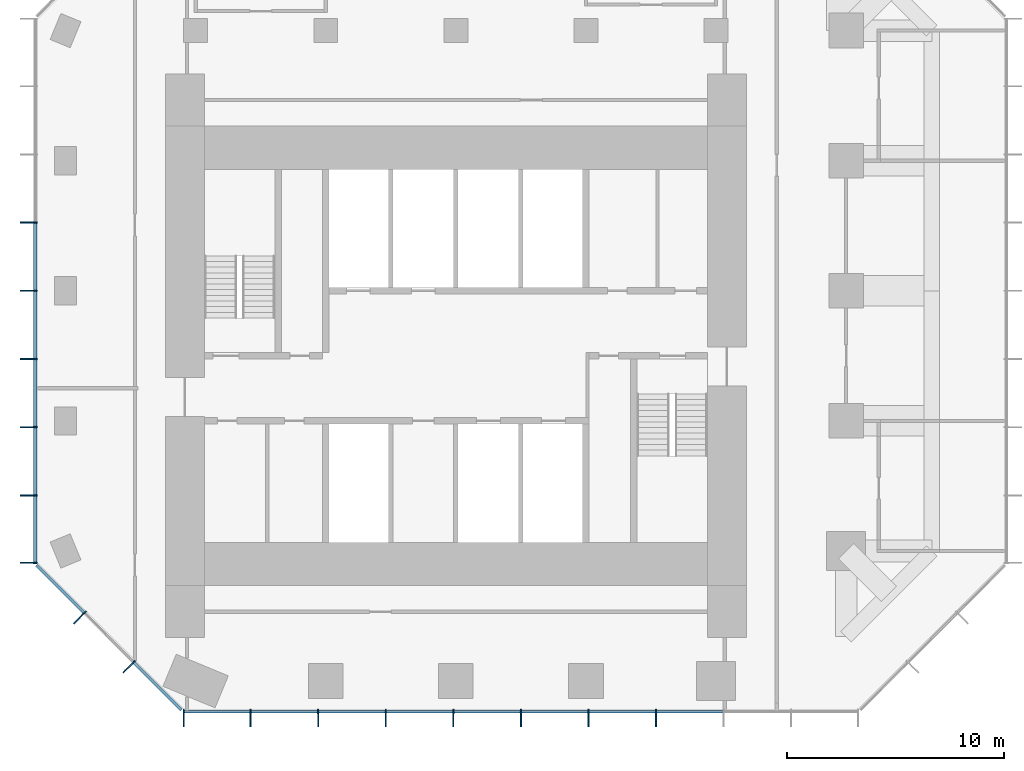
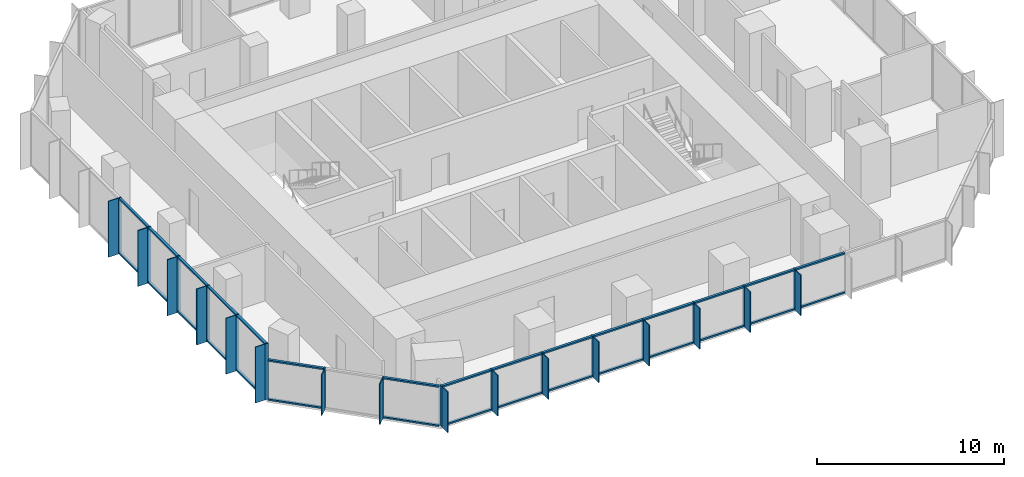
# One storey, part 2 of 10: 62 members, 3 elements without a shape of their own.
"""IFC4 building model written with IfcOpenShell, lengths in metres."""

from ifc_helpers import new_model, si_unit, direction, frame, origin, origin_2d, place, context, subcontext, project, spatial, rectangle, extrude, material, layer, layer_set, material_profile, profile_set, type_object, element, aggregate, save


model = new_model("IFC4")

# Units and contexts
model_context = context("Model", 3, precision=1e-05, world=origin(), true_north=direction((0.0, 1.0)))
body_context = subcontext(model_context, "Body", "Model", "MODEL_VIEW")
ifc_project = project(units=[si_unit("LENGTHUNIT", "METRE"), si_unit("AREAUNIT", "SQUARE_METRE"), si_unit("VOLUMEUNIT", "CUBIC_METRE"), si_unit("PLANEANGLEUNIT", "RADIAN"), si_unit("MASSUNIT", "GRAM", prefix="KILO")], contexts=[model_context])

# Site, building, storey
site_placement = place(None, origin())
site = spatial("IfcSite", under=ifc_project, at=site_placement, CompositionType="ELEMENT")
building_placement = place(site_placement, origin())
building = spatial("IfcBuilding", under=site, at=building_placement, Name="Highveld Stack Headquarters", CompositionType="ELEMENT")
storey_placement = place(building_placement, frame((0.0, 0.0, 264.5)))
storey = spatial("IfcBuildingStorey", under=building, at=storey_placement, Name="L65", CompositionType="ELEMENT", Elevation=264.5)

# Curtain wall, members
ifc_material_1 = material(Name="Aluminium bronze anodised", Category="aluminium")
ifc_layer = layer(ifc_material_1, 0.199951171875)
ifc_layer_set = layer_set([ifc_layer], Name="Aluminium bronze anodised")
curtain_wall_type = type_object("IfcCurtainWallType", Name="CW5 EXECUTIVE UNITISED CURTAIN WALL", PredefinedType="NOTDEFINED", material=ifc_layer_set)
curtain_wall_1_placement = place(storey_placement, origin())
curtain_wall_1 = element("IfcCurtainWall", 1, at=curtain_wall_1_placement, inside=storey, type_object=curtain_wall_type, Name="Curtain wall CW5 L65 S", PredefinedType="NOTDEFINED")
ifc_material_2 = material(Name="Aluminium bronze anodised", Category="aluminium")
ifc_material_profile_1 = material_profile(ifc_material_2, rectangle(XDim=0.60009765625, YDim=0.06005859375, at=origin_2d()), Name="FIN 600x60")
ifc_profile_set_1 = profile_set([ifc_material_profile_1], Name="Aluminium bronze anodised")
member_type_1 = type_object("IfcMemberType", Name="CW5 BRONZE FIN 600x60", PredefinedType="USERDEFINED", material=ifc_profile_set_1)
member_1_placement = place(storey_placement, frame((-6.54736328125, -13.800048828125, 0.0), z_axis=(0.0, 0.0, 1.0), x_axis=(0.0, 1.0, 0.0)))
member_1 = element("IfcMember", 2, at=member_1_placement, type_object=member_type_1, Name="CW5 fin L65 1", ObjectType="FIN", PredefinedType="USERDEFINED", context=body_context, shape_type="SweptSolid", body=[
    extrude(rectangle(XDim=0.60009765625, YDim=0.06005859375, at=origin_2d()), origin(), (0.0, 0.0, 1.0), 2.64990234375),
])
member_2_placement = place(storey_placement, frame((-3.4638671875, -13.800048828125, 0.0), z_axis=(0.0, 0.0, 1.0), x_axis=(0.0, 1.0, 0.0)))
member_2 = element("IfcMember", 3, at=member_2_placement, type_object=member_type_1, Name="CW5 fin L65 2", ObjectType="FIN", PredefinedType="USERDEFINED", context=body_context, shape_type="SweptSolid", body=[
    extrude(rectangle(XDim=0.60009765625, YDim=0.06005859375, at=origin_2d()), origin(), (0.0, 0.0, 1.0), 2.64990234375),
])
member_3_placement = place(storey_placement, frame((-0.347900390625, -13.800048828125, 0.0), z_axis=(0.0, 0.0, 1.0), x_axis=(0.0, 1.0, 0.0)))
member_3 = element("IfcMember", 4, at=member_3_placement, type_object=member_type_1, Name="CW5 fin L65 3", ObjectType="FIN", PredefinedType="USERDEFINED", context=body_context, shape_type="SweptSolid", body=[
    extrude(rectangle(XDim=0.60009765625, YDim=0.06005859375, at=origin_2d()), origin(), (0.0, 0.0, 1.0), 2.64990234375),
])
member_4_placement = place(storey_placement, frame((2.76806640625, -13.800048828125, 0.0), z_axis=(0.0, 0.0, 1.0), x_axis=(0.0, 1.0, 0.0)))
member_4 = element("IfcMember", 5, at=member_4_placement, type_object=member_type_1, Name="CW5 fin L65 4", ObjectType="FIN", PredefinedType="USERDEFINED", context=body_context, shape_type="SweptSolid", body=[
    extrude(rectangle(XDim=0.60009765625, YDim=0.06005859375, at=origin_2d()), origin(), (0.0, 0.0, 1.0), 2.64990234375),
])
member_5_placement = place(storey_placement, frame((5.884033203125, -13.800048828125, 0.0), z_axis=(0.0, 0.0, 1.0), x_axis=(0.0, 1.0, 0.0)))
member_5 = element("IfcMember", 6, at=member_5_placement, type_object=member_type_1, Name="CW5 fin L65 5", ObjectType="FIN", PredefinedType="USERDEFINED", context=body_context, shape_type="SweptSolid", body=[
    extrude(rectangle(XDim=0.60009765625, YDim=0.06005859375, at=origin_2d()), origin(), (0.0, 0.0, 1.0), 2.64990234375),
])
member_6_placement = place(storey_placement, frame((9.0, -13.800048828125, 0.0), z_axis=(0.0, 0.0, 1.0), x_axis=(0.0, 1.0, 0.0)))
member_6 = element("IfcMember", 7, at=member_6_placement, type_object=member_type_1, Name="CW5 fin L65 6", ObjectType="FIN", PredefinedType="USERDEFINED", context=body_context, shape_type="SweptSolid", body=[
    extrude(rectangle(XDim=0.60009765625, YDim=0.06005859375, at=origin_2d()), origin(), (0.0, 0.0, 1.0), 2.64990234375),
])
member_7_placement = place(storey_placement, frame((12.115966796875, -13.800048828125, 0.0), z_axis=(0.0, 0.0, 1.0), x_axis=(0.0, 1.0, 0.0)))
member_7 = element("IfcMember", 8, at=member_7_placement, type_object=member_type_1, Name="CW5 fin L65 7", ObjectType="FIN", PredefinedType="USERDEFINED", context=body_context, shape_type="SweptSolid", body=[
    extrude(rectangle(XDim=0.60009765625, YDim=0.06005859375, at=origin_2d()), origin(), (0.0, 0.0, 1.0), 2.64990234375),
])
member_8_placement = place(storey_placement, frame((15.23193359375, -13.800048828125, 0.0), z_axis=(0.0, 0.0, 1.0), x_axis=(0.0, 1.0, 0.0)))
member_8 = element("IfcMember", 9, at=member_8_placement, type_object=member_type_1, Name="CW5 fin L65 8", ObjectType="FIN", PredefinedType="USERDEFINED", context=body_context, shape_type="SweptSolid", body=[
    extrude(rectangle(XDim=0.60009765625, YDim=0.06005859375, at=origin_2d()), origin(), (0.0, 0.0, 1.0), 2.64990234375),
])

curtain_wall_2_placement = place(storey_placement, origin())
curtain_wall_2 = element("IfcCurtainWall", 10, at=curtain_wall_2_placement, inside=storey, type_object=curtain_wall_type, Name="Curtain wall CW5 L65 W", PredefinedType="NOTDEFINED")
member_9_placement = place(storey_placement, frame((-13.800048828125, 9.14501953125, 0.0), z_axis=(0.0, 0.0, 1.0), x_axis=(1.0, 0.0, 0.0)))
member_9 = element("IfcMember", 11, at=member_9_placement, type_object=member_type_1, Name="CW5 fin L65 4", ObjectType="FIN", PredefinedType="USERDEFINED", context=body_context, shape_type="SweptSolid", body=[
    extrude(rectangle(XDim=0.60009765625, YDim=0.06005859375, at=origin_2d()), origin(), (0.0, 0.0, 1.0), 3.64990234375),
])
member_10_placement = place(storey_placement, frame((-13.800048828125, 6.0, 0.0), z_axis=(0.0, 0.0, 1.0), x_axis=(1.0, 0.0, 0.0)))
member_10 = element("IfcMember", 12, at=member_10_placement, type_object=member_type_1, Name="CW5 fin L65 5", ObjectType="FIN", PredefinedType="USERDEFINED", context=body_context, shape_type="SweptSolid", body=[
    extrude(rectangle(XDim=0.60009765625, YDim=0.06005859375, at=origin_2d()), origin(), (0.0, 0.0, 1.0), 3.64990234375),
])
member_11_placement = place(storey_placement, frame((-13.800048828125, 2.85498046875, 0.0), z_axis=(0.0, 0.0, 1.0), x_axis=(1.0, 0.0, 0.0)))
member_11 = element("IfcMember", 13, at=member_11_placement, type_object=member_type_1, Name="CW5 fin L65 6", ObjectType="FIN", PredefinedType="USERDEFINED", context=body_context, shape_type="SweptSolid", body=[
    extrude(rectangle(XDim=0.60009765625, YDim=0.06005859375, at=origin_2d()), origin(), (0.0, 0.0, 1.0), 3.64990234375),
])
member_12_placement = place(storey_placement, frame((-13.800048828125, -0.2900390625, 0.0), z_axis=(0.0, 0.0, 1.0), x_axis=(1.0, 0.0, 0.0)))
member_12 = element("IfcMember", 14, at=member_12_placement, type_object=member_type_1, Name="CW5 fin L65 7", ObjectType="FIN", PredefinedType="USERDEFINED", context=body_context, shape_type="SweptSolid", body=[
    extrude(rectangle(XDim=0.60009765625, YDim=0.06005859375, at=origin_2d()), origin(), (0.0, 0.0, 1.0), 3.64990234375),
])
member_13_placement = place(storey_placement, frame((-13.800048828125, -3.434814453125, 0.0), z_axis=(0.0, 0.0, 1.0), x_axis=(1.0, 0.0, 0.0)))
member_13 = element("IfcMember", 15, at=member_13_placement, type_object=member_type_1, Name="CW5 fin L65 8", ObjectType="FIN", PredefinedType="USERDEFINED", context=body_context, shape_type="SweptSolid", body=[
    extrude(rectangle(XDim=0.60009765625, YDim=0.06005859375, at=origin_2d()), origin(), (0.0, 0.0, 1.0), 3.64990234375),
])
member_14_placement = place(storey_placement, frame((-13.800048828125, -6.54736328125, 0.0), z_axis=(0.0, 0.0, 1.0), x_axis=(1.0, 0.0, 0.0)))
member_14 = element("IfcMember", 16, at=member_14_placement, type_object=member_type_1, Name="CW5 fin L65 9", ObjectType="FIN", PredefinedType="USERDEFINED", context=body_context, shape_type="SweptSolid", body=[
    extrude(rectangle(XDim=0.60009765625, YDim=0.06005859375, at=origin_2d()), origin(), (0.0, 0.0, 1.0), 3.64990234375),
])

curtain_wall_3_placement = place(storey_placement, origin())
curtain_wall_3 = element("IfcCurtainWall", 17, at=curtain_wall_3_placement, inside=storey, type_object=curtain_wall_type, Name="Curtain wall CW5 L65 SW", PredefinedType="NOTDEFINED")
member_15_placement = place(storey_placement, frame((-11.409423828125, -9.135986328125, 0.0), z_axis=(0.0, 0.0, 1.0), x_axis=(0.707106781187, 0.707106781187, 0.0)))
member_15 = element("IfcMember", 18, at=member_15_placement, type_object=member_type_1, Name="CW5 fin L65 1", ObjectType="FIN", PredefinedType="USERDEFINED", context=body_context, shape_type="SweptSolid", body=[
    extrude(rectangle(XDim=0.60009765625, YDim=0.06005859375, at=origin_2d()), origin(), (0.0, 0.0, 1.0), 2.64990234375),
])
member_16_placement = place(storey_placement, frame((-9.135986328125, -11.409423828125, 0.0), z_axis=(0.0, 0.0, 1.0), x_axis=(0.707106781187, 0.707106781187, 0.0)))
member_16 = element("IfcMember", 19, at=member_16_placement, type_object=member_type_1, Name="CW5 fin L65 2", ObjectType="FIN", PredefinedType="USERDEFINED", context=body_context, shape_type="SweptSolid", body=[
    extrude(rectangle(XDim=0.60009765625, YDim=0.06005859375, at=origin_2d()), origin(), (0.0, 0.0, 1.0), 2.64990234375),
])

# Member
ifc_material_3 = material(Name="Aluminium bronze anodised", Category="aluminium")
ifc_material_profile_2 = material_profile(ifc_material_3, rectangle(XDim=0.199951171875, YDim=0.06494140625, at=origin_2d()), Name="CW5 MULLION 65x200")
ifc_profile_set_2 = profile_set([ifc_material_profile_2], Name="Aluminium bronze anodised")
member_type_2 = type_object("IfcMemberType", Name="CW5 MULLION 65x200", PredefinedType="MULLION", material=ifc_profile_set_2)
member_17_placement = place(storey_placement, frame((-6.54736328125, -13.39990234375, 0.0), z_axis=(0.0, 0.0, 1.0), x_axis=(0.0, 1.0, 0.0)))
member_17 = element("IfcMember", 20, at=member_17_placement, type_object=member_type_2, Name="CW5 mullion L65 1", PredefinedType="MULLION", context=body_context, shape_type="SweptSolid", body=[
    extrude(rectangle(XDim=0.199951171875, YDim=0.06494140625, at=origin_2d()), origin(), (0.0, 0.0, 1.0), 2.64990234375),
])

member_18_placement = place(storey_placement, frame((-3.4638671875, -13.39990234375, 0.0), z_axis=(0.0, 0.0, 1.0), x_axis=(0.0, 1.0, 0.0)))
member_18 = element("IfcMember", 21, at=member_18_placement, type_object=member_type_2, Name="CW5 mullion L65 2", PredefinedType="MULLION", context=body_context, shape_type="SweptSolid", body=[
    extrude(rectangle(XDim=0.199951171875, YDim=0.06494140625, at=origin_2d()), origin(), (0.0, 0.0, 1.0), 2.64990234375),
])

member_19_placement = place(storey_placement, frame((-0.347900390625, -13.39990234375, 0.0), z_axis=(0.0, 0.0, 1.0), x_axis=(0.0, 1.0, 0.0)))
member_19 = element("IfcMember", 22, at=member_19_placement, type_object=member_type_2, Name="CW5 mullion L65 3", PredefinedType="MULLION", context=body_context, shape_type="SweptSolid", body=[
    extrude(rectangle(XDim=0.199951171875, YDim=0.06494140625, at=origin_2d()), origin(), (0.0, 0.0, 1.0), 2.64990234375),
])

member_20_placement = place(storey_placement, frame((2.76806640625, -13.39990234375, 0.0), z_axis=(0.0, 0.0, 1.0), x_axis=(0.0, 1.0, 0.0)))
member_20 = element("IfcMember", 23, at=member_20_placement, type_object=member_type_2, Name="CW5 mullion L65 4", PredefinedType="MULLION", context=body_context, shape_type="SweptSolid", body=[
    extrude(rectangle(XDim=0.199951171875, YDim=0.06494140625, at=origin_2d()), origin(), (0.0, 0.0, 1.0), 2.64990234375),
])

member_21_placement = place(storey_placement, frame((5.884033203125, -13.39990234375, 0.0), z_axis=(0.0, 0.0, 1.0), x_axis=(0.0, 1.0, 0.0)))
member_21 = element("IfcMember", 24, at=member_21_placement, type_object=member_type_2, Name="CW5 mullion L65 5", PredefinedType="MULLION", context=body_context, shape_type="SweptSolid", body=[
    extrude(rectangle(XDim=0.199951171875, YDim=0.06494140625, at=origin_2d()), origin(), (0.0, 0.0, 1.0), 2.64990234375),
])

member_22_placement = place(storey_placement, frame((9.0, -13.39990234375, 0.0), z_axis=(0.0, 0.0, 1.0), x_axis=(0.0, 1.0, 0.0)))
member_22 = element("IfcMember", 25, at=member_22_placement, type_object=member_type_2, Name="CW5 mullion L65 6", PredefinedType="MULLION", context=body_context, shape_type="SweptSolid", body=[
    extrude(rectangle(XDim=0.199951171875, YDim=0.06494140625, at=origin_2d()), origin(), (0.0, 0.0, 1.0), 2.64990234375),
])

member_23_placement = place(storey_placement, frame((12.115966796875, -13.39990234375, 0.0), z_axis=(0.0, 0.0, 1.0), x_axis=(0.0, 1.0, 0.0)))
member_23 = element("IfcMember", 26, at=member_23_placement, type_object=member_type_2, Name="CW5 mullion L65 7", PredefinedType="MULLION", context=body_context, shape_type="SweptSolid", body=[
    extrude(rectangle(XDim=0.199951171875, YDim=0.06494140625, at=origin_2d()), origin(), (0.0, 0.0, 1.0), 2.64990234375),
])

member_24_placement = place(storey_placement, frame((15.23193359375, -13.39990234375, 0.0), z_axis=(0.0, 0.0, 1.0), x_axis=(0.0, 1.0, 0.0)))
member_24 = element("IfcMember", 27, at=member_24_placement, type_object=member_type_2, Name="CW5 mullion L65 8", PredefinedType="MULLION", context=body_context, shape_type="SweptSolid", body=[
    extrude(rectangle(XDim=0.199951171875, YDim=0.06494140625, at=origin_2d()), origin(), (0.0, 0.0, 1.0), 2.64990234375),
])

member_25_placement = place(storey_placement, frame((-13.39990234375, 9.14501953125, 0.0), z_axis=(0.0, 0.0, 1.0), x_axis=(1.0, 0.0, 0.0)))
member_25 = element("IfcMember", 28, at=member_25_placement, type_object=member_type_2, Name="CW5 mullion L65 4", PredefinedType="MULLION", context=body_context, shape_type="SweptSolid", body=[
    extrude(rectangle(XDim=0.199951171875, YDim=0.06494140625, at=origin_2d()), origin(), (0.0, 0.0, 1.0), 3.64990234375),
])

member_26_placement = place(storey_placement, frame((-13.39990234375, 6.0, 0.0), z_axis=(0.0, 0.0, 1.0), x_axis=(1.0, 0.0, 0.0)))
member_26 = element("IfcMember", 29, at=member_26_placement, type_object=member_type_2, Name="CW5 mullion L65 5", PredefinedType="MULLION", context=body_context, shape_type="SweptSolid", body=[
    extrude(rectangle(XDim=0.199951171875, YDim=0.06494140625, at=origin_2d()), origin(), (0.0, 0.0, 1.0), 3.64990234375),
])

member_27_placement = place(storey_placement, frame((-13.39990234375, 2.85498046875, 0.0), z_axis=(0.0, 0.0, 1.0), x_axis=(1.0, 0.0, 0.0)))
member_27 = element("IfcMember", 30, at=member_27_placement, type_object=member_type_2, Name="CW5 mullion L65 6", PredefinedType="MULLION", context=body_context, shape_type="SweptSolid", body=[
    extrude(rectangle(XDim=0.199951171875, YDim=0.06494140625, at=origin_2d()), origin(), (0.0, 0.0, 1.0), 3.64990234375),
])

member_28_placement = place(storey_placement, frame((-13.39990234375, -0.2900390625, 0.0), z_axis=(0.0, 0.0, 1.0), x_axis=(1.0, 0.0, 0.0)))
member_28 = element("IfcMember", 31, at=member_28_placement, type_object=member_type_2, Name="CW5 mullion L65 7", PredefinedType="MULLION", context=body_context, shape_type="SweptSolid", body=[
    extrude(rectangle(XDim=0.199951171875, YDim=0.06494140625, at=origin_2d()), origin(), (0.0, 0.0, 1.0), 3.64990234375),
])

member_29_placement = place(storey_placement, frame((-13.39990234375, -3.434814453125, 0.0), z_axis=(0.0, 0.0, 1.0), x_axis=(1.0, 0.0, 0.0)))
member_29 = element("IfcMember", 32, at=member_29_placement, type_object=member_type_2, Name="CW5 mullion L65 8", PredefinedType="MULLION", context=body_context, shape_type="SweptSolid", body=[
    extrude(rectangle(XDim=0.199951171875, YDim=0.06494140625, at=origin_2d()), origin(), (0.0, 0.0, 1.0), 3.64990234375),
])

member_30_placement = place(storey_placement, frame((-13.39990234375, -6.54736328125, 0.0), z_axis=(0.0, 0.0, 1.0), x_axis=(1.0, 0.0, 0.0)))
member_30 = element("IfcMember", 33, at=member_30_placement, type_object=member_type_2, Name="CW5 mullion L65 9", PredefinedType="MULLION", context=body_context, shape_type="SweptSolid", body=[
    extrude(rectangle(XDim=0.199951171875, YDim=0.06494140625, at=origin_2d()), origin(), (0.0, 0.0, 1.0), 3.64990234375),
])

member_31_placement = place(storey_placement, frame((-11.126708984375, -8.853271484375, 0.0), z_axis=(0.0, 0.0, 1.0), x_axis=(0.707106781187, 0.707106781187, 0.0)))
member_31 = element("IfcMember", 34, at=member_31_placement, type_object=member_type_2, Name="CW5 mullion L65 1", PredefinedType="MULLION", context=body_context, shape_type="SweptSolid", body=[
    extrude(rectangle(XDim=0.199951171875, YDim=0.06494140625, at=origin_2d()), origin(), (0.0, 0.0, 1.0), 2.64990234375),
])

member_32_placement = place(storey_placement, frame((-8.853271484375, -11.126708984375, 0.0), z_axis=(0.0, 0.0, 1.0), x_axis=(0.707106781187, 0.707106781187, 0.0)))
member_32 = element("IfcMember", 35, at=member_32_placement, type_object=member_type_2, Name="CW5 mullion L65 2", PredefinedType="MULLION", context=body_context, shape_type="SweptSolid", body=[
    extrude(rectangle(XDim=0.199951171875, YDim=0.06494140625, at=origin_2d()), origin(), (0.0, 0.0, 1.0), 2.64990234375),
])

ifc_material_4 = material(Name="Aluminium bronze anodised", Category="aluminium")
ifc_material_profile_3 = material_profile(ifc_material_4, rectangle(XDim=0.14990234375, YDim=0.10009765625, at=origin_2d()), Name="CW5 TRANSOM 150x100")
ifc_profile_set_3 = profile_set([ifc_material_profile_3], Name="Aluminium bronze anodised")
member_type_3 = type_object("IfcMemberType", Name="CW5 STACK TRANSOM 150x100", PredefinedType="USERDEFINED", material=ifc_profile_set_3)
member_33_placement = place(storey_placement, frame((-6.514892578125, -13.39990234375, 0.050048828125), z_axis=(1.0, 0.0, 0.0), x_axis=(0.0, 1.0, 0.0)))
member_33 = element("IfcMember", 36, at=member_33_placement, type_object=member_type_3, Name="CW5 transom L65 1.1", ObjectType="TRANSOM", PredefinedType="USERDEFINED", context=body_context, shape_type="SweptSolid", body=[
    extrude(rectangle(XDim=0.14990234375, YDim=0.10009765625, at=origin_2d()), origin(), (0.0, 0.0, 1.0), 3.0185546875),
])

member_34_placement = place(storey_placement, frame((-6.514892578125, -13.39990234375, 2.60009765625), z_axis=(1.0, 0.0, 0.0), x_axis=(0.0, 1.0, 0.0)))
member_34 = element("IfcMember", 37, at=member_34_placement, type_object=member_type_3, Name="CW5 transom L65 1.2", ObjectType="TRANSOM", PredefinedType="USERDEFINED", context=body_context, shape_type="SweptSolid", body=[
    extrude(rectangle(XDim=0.14990234375, YDim=0.10009765625, at=origin_2d()), origin(), (0.0, 0.0, 1.0), 3.0185546875),
])

member_35_placement = place(storey_placement, frame((-3.431396484375, -13.39990234375, 0.050048828125), z_axis=(1.0, 0.0, 0.0), x_axis=(0.0, 1.0, 0.0)))
member_35 = element("IfcMember", 38, at=member_35_placement, type_object=member_type_3, Name="CW5 transom L65 2.1", ObjectType="TRANSOM", PredefinedType="USERDEFINED", context=body_context, shape_type="SweptSolid", body=[
    extrude(rectangle(XDim=0.14990234375, YDim=0.10009765625, at=origin_2d()), origin(), (0.0, 0.0, 1.0), 3.051025390625),
])

member_36_placement = place(storey_placement, frame((-3.431396484375, -13.39990234375, 2.60009765625), z_axis=(1.0, 0.0, 0.0), x_axis=(0.0, 1.0, 0.0)))
member_36 = element("IfcMember", 39, at=member_36_placement, type_object=member_type_3, Name="CW5 transom L65 2.2", ObjectType="TRANSOM", PredefinedType="USERDEFINED", context=body_context, shape_type="SweptSolid", body=[
    extrude(rectangle(XDim=0.14990234375, YDim=0.10009765625, at=origin_2d()), origin(), (0.0, 0.0, 1.0), 3.051025390625),
])

member_37_placement = place(storey_placement, frame((-0.3154296875, -13.39990234375, 0.050048828125), z_axis=(1.0, 0.0, 0.0), x_axis=(0.0, 1.0, 0.0)))
member_37 = element("IfcMember", 40, at=member_37_placement, type_object=member_type_3, Name="CW5 transom L65 3.1", ObjectType="TRANSOM", PredefinedType="USERDEFINED", context=body_context, shape_type="SweptSolid", body=[
    extrude(rectangle(XDim=0.14990234375, YDim=0.10009765625, at=origin_2d()), origin(), (0.0, 0.0, 1.0), 3.051025390625),
])

member_38_placement = place(storey_placement, frame((-0.3154296875, -13.39990234375, 2.60009765625), z_axis=(1.0, 0.0, 0.0), x_axis=(0.0, 1.0, 0.0)))
member_38 = element("IfcMember", 41, at=member_38_placement, type_object=member_type_3, Name="CW5 transom L65 3.2", ObjectType="TRANSOM", PredefinedType="USERDEFINED", context=body_context, shape_type="SweptSolid", body=[
    extrude(rectangle(XDim=0.14990234375, YDim=0.10009765625, at=origin_2d()), origin(), (0.0, 0.0, 1.0), 3.051025390625),
])

member_39_placement = place(storey_placement, frame((2.800537109375, -13.39990234375, 0.050048828125), z_axis=(1.0, 0.0, 0.0), x_axis=(0.0, 1.0, 0.0)))
member_39 = element("IfcMember", 42, at=member_39_placement, type_object=member_type_3, Name="CW5 transom L65 4.1", ObjectType="TRANSOM", PredefinedType="USERDEFINED", context=body_context, shape_type="SweptSolid", body=[
    extrude(rectangle(XDim=0.14990234375, YDim=0.10009765625, at=origin_2d()), origin(), (0.0, 0.0, 1.0), 3.051025390625),
])

member_40_placement = place(storey_placement, frame((2.800537109375, -13.39990234375, 2.60009765625), z_axis=(1.0, 0.0, 0.0), x_axis=(0.0, 1.0, 0.0)))
member_40 = element("IfcMember", 43, at=member_40_placement, type_object=member_type_3, Name="CW5 transom L65 4.2", ObjectType="TRANSOM", PredefinedType="USERDEFINED", context=body_context, shape_type="SweptSolid", body=[
    extrude(rectangle(XDim=0.14990234375, YDim=0.10009765625, at=origin_2d()), origin(), (0.0, 0.0, 1.0), 3.051025390625),
])

member_41_placement = place(storey_placement, frame((5.91650390625, -13.39990234375, 0.050048828125), z_axis=(1.0, 0.0, 0.0), x_axis=(0.0, 1.0, 0.0)))
member_41 = element("IfcMember", 44, at=member_41_placement, type_object=member_type_3, Name="CW5 transom L65 5.1", ObjectType="TRANSOM", PredefinedType="USERDEFINED", context=body_context, shape_type="SweptSolid", body=[
    extrude(rectangle(XDim=0.14990234375, YDim=0.10009765625, at=origin_2d()), origin(), (0.0, 0.0, 1.0), 3.051025390625),
])

member_42_placement = place(storey_placement, frame((5.91650390625, -13.39990234375, 2.60009765625), z_axis=(1.0, 0.0, 0.0), x_axis=(0.0, 1.0, 0.0)))
member_42 = element("IfcMember", 45, at=member_42_placement, type_object=member_type_3, Name="CW5 transom L65 5.2", ObjectType="TRANSOM", PredefinedType="USERDEFINED", context=body_context, shape_type="SweptSolid", body=[
    extrude(rectangle(XDim=0.14990234375, YDim=0.10009765625, at=origin_2d()), origin(), (0.0, 0.0, 1.0), 3.051025390625),
])

member_43_placement = place(storey_placement, frame((9.032470703125, -13.39990234375, 0.050048828125), z_axis=(1.0, 0.0, 0.0), x_axis=(0.0, 1.0, 0.0)))
member_43 = element("IfcMember", 46, at=member_43_placement, type_object=member_type_3, Name="CW5 transom L65 6.1", ObjectType="TRANSOM", PredefinedType="USERDEFINED", context=body_context, shape_type="SweptSolid", body=[
    extrude(rectangle(XDim=0.14990234375, YDim=0.10009765625, at=origin_2d()), origin(), (0.0, 0.0, 1.0), 3.051025390625),
])

member_44_placement = place(storey_placement, frame((9.032470703125, -13.39990234375, 2.60009765625), z_axis=(1.0, 0.0, 0.0), x_axis=(0.0, 1.0, 0.0)))
member_44 = element("IfcMember", 47, at=member_44_placement, type_object=member_type_3, Name="CW5 transom L65 6.2", ObjectType="TRANSOM", PredefinedType="USERDEFINED", context=body_context, shape_type="SweptSolid", body=[
    extrude(rectangle(XDim=0.14990234375, YDim=0.10009765625, at=origin_2d()), origin(), (0.0, 0.0, 1.0), 3.051025390625),
])

member_45_placement = place(storey_placement, frame((12.1484375, -13.39990234375, 0.050048828125), z_axis=(1.0, 0.0, 0.0), x_axis=(0.0, 1.0, 0.0)))
member_45 = element("IfcMember", 48, at=member_45_placement, type_object=member_type_3, Name="CW5 transom L65 7.1", ObjectType="TRANSOM", PredefinedType="USERDEFINED", context=body_context, shape_type="SweptSolid", body=[
    extrude(rectangle(XDim=0.14990234375, YDim=0.10009765625, at=origin_2d()), origin(), (0.0, 0.0, 1.0), 3.051025390625),
])

member_46_placement = place(storey_placement, frame((12.1484375, -13.39990234375, 2.60009765625), z_axis=(1.0, 0.0, 0.0), x_axis=(0.0, 1.0, 0.0)))
member_46 = element("IfcMember", 49, at=member_46_placement, type_object=member_type_3, Name="CW5 transom L65 7.2", ObjectType="TRANSOM", PredefinedType="USERDEFINED", context=body_context, shape_type="SweptSolid", body=[
    extrude(rectangle(XDim=0.14990234375, YDim=0.10009765625, at=origin_2d()), origin(), (0.0, 0.0, 1.0), 3.051025390625),
])

member_47_placement = place(storey_placement, frame((15.264404296875, -13.39990234375, 0.050048828125), z_axis=(1.0, 0.0, 0.0), x_axis=(0.0, 1.0, 0.0)))
member_47 = element("IfcMember", 50, at=member_47_placement, type_object=member_type_3, Name="CW5 transom L65 8.1", ObjectType="TRANSOM", PredefinedType="USERDEFINED", context=body_context, shape_type="SweptSolid", body=[
    extrude(rectangle(XDim=0.14990234375, YDim=0.10009765625, at=origin_2d()), origin(), (0.0, 0.0, 1.0), 3.051025390625),
])

member_48_placement = place(storey_placement, frame((15.264404296875, -13.39990234375, 2.60009765625), z_axis=(1.0, 0.0, 0.0), x_axis=(0.0, 1.0, 0.0)))
member_48 = element("IfcMember", 51, at=member_48_placement, type_object=member_type_3, Name="CW5 transom L65 8.2", ObjectType="TRANSOM", PredefinedType="USERDEFINED", context=body_context, shape_type="SweptSolid", body=[
    extrude(rectangle(XDim=0.14990234375, YDim=0.10009765625, at=origin_2d()), origin(), (0.0, 0.0, 1.0), 3.051025390625),
])

aggregate(curtain_wall_1, [member_17, member_1, member_18, member_2, member_19, member_3, member_20, member_4, member_21, member_5, member_22, member_6, member_23, member_7, member_24, member_8, member_33, member_34, member_35, member_36, member_37, member_38, member_39, member_40, member_41, member_42, member_43, member_44, member_45, member_46, member_47, member_48])

member_49_placement = place(storey_placement, frame((-13.39990234375, 9.112548828125, 0.050048828125), z_axis=(0.0, -1.0, 0.0), x_axis=(1.0, 0.0, 0.0)))
member_49 = element("IfcMember", 52, at=member_49_placement, type_object=member_type_3, Name="CW5 transom L65 4.1", ObjectType="TRANSOM", PredefinedType="USERDEFINED", context=body_context, shape_type="SweptSolid", body=[
    extrude(rectangle(XDim=0.14990234375, YDim=0.10009765625, at=origin_2d()), origin(), (0.0, 0.0, 1.0), 3.080078125),
])

member_50_placement = place(storey_placement, frame((-13.39990234375, 9.112548828125, 3.60009765625), z_axis=(0.0, -1.0, 0.0), x_axis=(1.0, 0.0, 0.0)))
member_50 = element("IfcMember", 53, at=member_50_placement, type_object=member_type_3, Name="CW5 transom L65 4.2", ObjectType="TRANSOM", PredefinedType="USERDEFINED", context=body_context, shape_type="SweptSolid", body=[
    extrude(rectangle(XDim=0.14990234375, YDim=0.10009765625, at=origin_2d()), origin(), (0.0, 0.0, 1.0), 3.080078125),
])

member_51_placement = place(storey_placement, frame((-13.39990234375, 5.967529296875, 0.050048828125), z_axis=(0.0, -1.0, 0.0), x_axis=(1.0, 0.0, 0.0)))
member_51 = element("IfcMember", 54, at=member_51_placement, type_object=member_type_3, Name="CW5 transom L65 5.1", ObjectType="TRANSOM", PredefinedType="USERDEFINED", context=body_context, shape_type="SweptSolid", body=[
    extrude(rectangle(XDim=0.14990234375, YDim=0.10009765625, at=origin_2d()), origin(), (0.0, 0.0, 1.0), 3.080078125),
])

member_52_placement = place(storey_placement, frame((-13.39990234375, 5.967529296875, 3.60009765625), z_axis=(0.0, -1.0, 0.0), x_axis=(1.0, 0.0, 0.0)))
member_52 = element("IfcMember", 55, at=member_52_placement, type_object=member_type_3, Name="CW5 transom L65 5.2", ObjectType="TRANSOM", PredefinedType="USERDEFINED", context=body_context, shape_type="SweptSolid", body=[
    extrude(rectangle(XDim=0.14990234375, YDim=0.10009765625, at=origin_2d()), origin(), (0.0, 0.0, 1.0), 3.080078125),
])

member_53_placement = place(storey_placement, frame((-13.39990234375, 2.822509765625, 0.050048828125), z_axis=(0.0, -1.0, 0.0), x_axis=(1.0, 0.0, 0.0)))
member_53 = element("IfcMember", 56, at=member_53_placement, type_object=member_type_3, Name="CW5 transom L65 6.1", ObjectType="TRANSOM", PredefinedType="USERDEFINED", context=body_context, shape_type="SweptSolid", body=[
    extrude(rectangle(XDim=0.14990234375, YDim=0.10009765625, at=origin_2d()), origin(), (0.0, 0.0, 1.0), 3.080078125),
])

member_54_placement = place(storey_placement, frame((-13.39990234375, 2.822509765625, 3.60009765625), z_axis=(0.0, -1.0, 0.0), x_axis=(1.0, 0.0, 0.0)))
member_54 = element("IfcMember", 57, at=member_54_placement, type_object=member_type_3, Name="CW5 transom L65 6.2", ObjectType="TRANSOM", PredefinedType="USERDEFINED", context=body_context, shape_type="SweptSolid", body=[
    extrude(rectangle(XDim=0.14990234375, YDim=0.10009765625, at=origin_2d()), origin(), (0.0, 0.0, 1.0), 3.080078125),
])

member_55_placement = place(storey_placement, frame((-13.39990234375, -0.322509765625, 0.050048828125), z_axis=(0.0, -1.0, 0.0), x_axis=(1.0, 0.0, 0.0)))
member_55 = element("IfcMember", 58, at=member_55_placement, type_object=member_type_3, Name="CW5 transom L65 7.1", ObjectType="TRANSOM", PredefinedType="USERDEFINED", context=body_context, shape_type="SweptSolid", body=[
    extrude(rectangle(XDim=0.14990234375, YDim=0.10009765625, at=origin_2d()), origin(), (0.0, 0.0, 1.0), 3.079833984375),
])

member_56_placement = place(storey_placement, frame((-13.39990234375, -0.322509765625, 3.60009765625), z_axis=(0.0, -1.0, 0.0), x_axis=(1.0, 0.0, 0.0)))
member_56 = element("IfcMember", 59, at=member_56_placement, type_object=member_type_3, Name="CW5 transom L65 7.2", ObjectType="TRANSOM", PredefinedType="USERDEFINED", context=body_context, shape_type="SweptSolid", body=[
    extrude(rectangle(XDim=0.14990234375, YDim=0.10009765625, at=origin_2d()), origin(), (0.0, 0.0, 1.0), 3.079833984375),
])

member_57_placement = place(storey_placement, frame((-13.39990234375, -3.46728515625, 0.050048828125), z_axis=(0.0, -1.0, 0.0), x_axis=(1.0, 0.0, 0.0)))
member_57 = element("IfcMember", 60, at=member_57_placement, type_object=member_type_3, Name="CW5 transom L65 8.1", ObjectType="TRANSOM", PredefinedType="USERDEFINED", context=body_context, shape_type="SweptSolid", body=[
    extrude(rectangle(XDim=0.14990234375, YDim=0.10009765625, at=origin_2d()), origin(), (0.0, 0.0, 1.0), 3.047607421875),
])

member_58_placement = place(storey_placement, frame((-13.39990234375, -3.46728515625, 3.60009765625), z_axis=(0.0, -1.0, 0.0), x_axis=(1.0, 0.0, 0.0)))
member_58 = element("IfcMember", 61, at=member_58_placement, type_object=member_type_3, Name="CW5 transom L65 8.2", ObjectType="TRANSOM", PredefinedType="USERDEFINED", context=body_context, shape_type="SweptSolid", body=[
    extrude(rectangle(XDim=0.14990234375, YDim=0.10009765625, at=origin_2d()), origin(), (0.0, 0.0, 1.0), 3.047607421875),
])

aggregate(curtain_wall_2, [member_25, member_9, member_26, member_10, member_27, member_11, member_28, member_12, member_29, member_13, member_30, member_14, member_49, member_50, member_51, member_52, member_53, member_54, member_55, member_56, member_57, member_58])

member_59_placement = place(storey_placement, frame((-13.329345703125, -6.650634765625, 0.050048828125), z_axis=(0.707106781187, -0.707106781187, 0.0), x_axis=(0.707106781187, 0.707106781187, 0.0)))
member_59 = element("IfcMember", 62, at=member_59_placement, type_object=member_type_3, Name="CW5 transom L65 1.1", ObjectType="TRANSOM", PredefinedType="USERDEFINED", context=body_context, shape_type="SweptSolid", body=[
    extrude(rectangle(XDim=0.14990234375, YDim=0.10009765625, at=origin_2d()), origin(), (0.0, 0.0, 1.0), 3.08251953125),
])

member_60_placement = place(storey_placement, frame((-13.329345703125, -6.650634765625, 2.60009765625), z_axis=(0.707106781187, -0.707106781187, 0.0), x_axis=(0.707106781187, 0.707106781187, 0.0)))
member_60 = element("IfcMember", 63, at=member_60_placement, type_object=member_type_3, Name="CW5 transom L65 1.2", ObjectType="TRANSOM", PredefinedType="USERDEFINED", context=body_context, shape_type="SweptSolid", body=[
    extrude(rectangle(XDim=0.14990234375, YDim=0.10009765625, at=origin_2d()), origin(), (0.0, 0.0, 1.0), 3.08251953125),
])

member_61_placement = place(storey_placement, frame((-8.830322265625, -11.149658203125, 0.050048828125), z_axis=(0.707106781187, -0.707106781187, 0.0), x_axis=(0.707106781187, 0.707106781187, 0.0)))
member_61 = element("IfcMember", 64, at=member_61_placement, type_object=member_type_3, Name="CW5 transom L65 3.1", ObjectType="TRANSOM", PredefinedType="USERDEFINED", context=body_context, shape_type="SweptSolid", body=[
    extrude(rectangle(XDim=0.14990234375, YDim=0.10009765625, at=origin_2d()), origin(), (0.0, 0.0, 1.0), 3.08251953125),
])

member_62_placement = place(storey_placement, frame((-8.830322265625, -11.149658203125, 2.60009765625), z_axis=(0.707106781187, -0.707106781187, 0.0), x_axis=(0.707106781187, 0.707106781187, 0.0)))
member_62 = element("IfcMember", 65, at=member_62_placement, type_object=member_type_3, Name="CW5 transom L65 3.2", ObjectType="TRANSOM", PredefinedType="USERDEFINED", context=body_context, shape_type="SweptSolid", body=[
    extrude(rectangle(XDim=0.14990234375, YDim=0.10009765625, at=origin_2d()), origin(), (0.0, 0.0, 1.0), 3.08251953125),
])

aggregate(curtain_wall_3, [member_31, member_15, member_32, member_16, member_59, member_60, member_61, member_62])

save(model, "model.ifc")
